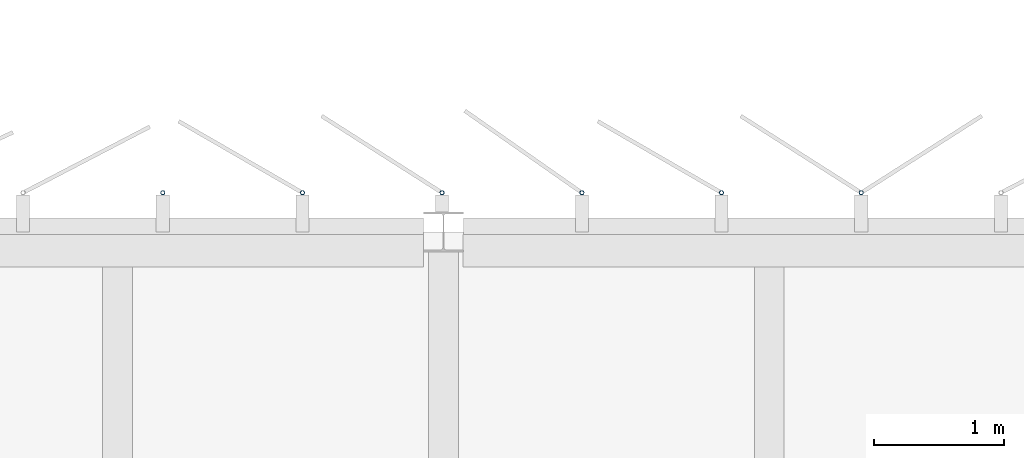
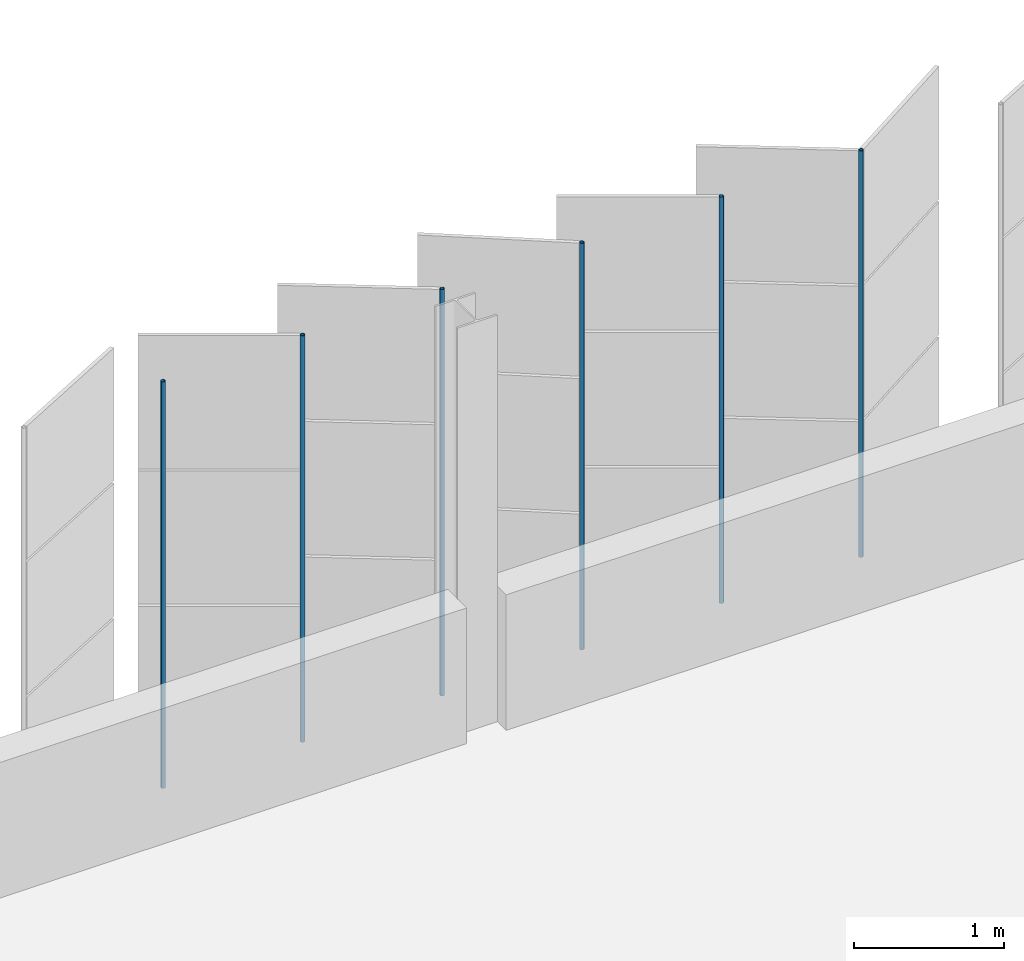
# One storey, part 141 of 199: 6 discrete accessories.
"""IFC4 building model written with IfcOpenShell, lengths in metres."""

from ifc_helpers import new_model, si_unit, direction, frame, origin, origin_2d, place, context, subcontext, project, spatial, hollow_circle, extrude, material, material_profile, profile_set, type_object, element, save


model = new_model("IFC4")

# Units and contexts
model_context = context("Model", 3, precision=1e-05, world=origin(), true_north=direction((0.0, 1.0)))
body_context = subcontext(model_context, "Body", "Model", "MODEL_VIEW")
ifc_project = project(units=[si_unit("LENGTHUNIT", "METRE"), si_unit("AREAUNIT", "SQUARE_METRE"), si_unit("VOLUMEUNIT", "CUBIC_METRE"), si_unit("PLANEANGLEUNIT", "RADIAN"), si_unit("MASSUNIT", "GRAM", prefix="KILO")], contexts=[model_context])

# Site, building, storey
site_placement = place(None, origin())
site = spatial("IfcSite", under=ifc_project, at=site_placement, CompositionType="ELEMENT")
building_placement = place(site_placement, origin())
building = spatial("IfcBuilding", under=site, at=building_placement, Name="Parallax Yard Mobility Hub", CompositionType="ELEMENT")
storey_placement = place(building_placement, frame((0.0, 0.0, 9.89990234375)))
storey = spatial("IfcBuildingStorey", under=building, at=storey_placement, Name="L03", CompositionType="ELEMENT", Elevation=9.89990234375)

# Discrete accessories
ifc_material = material(Name="Steel ASTM A500 Gr C, hot-dip galvanised", Category="steel")
ifc_material_profile = material_profile(ifc_material, hollow_circle(Radius=0.016845703125, WallThickness=0.003173828125, at=origin_2d()), Name="CHS 33.7x3.2")
ifc_profile_set = profile_set([ifc_material_profile], Name="Steel ASTM A500 Gr C, hot-dip galvanised")
discrete_accessory_type = type_object("IfcDiscreteAccessoryType", Name="Hinge post CHS 33.7x3.2", PredefinedType="BRACKET", material=ifc_profile_set)
for number, where, z_axis, x_axis, name in (
    (1, (78.205078125, 142.800048828125, 0.0), (0.0, 0.0, 1.0), (1.0, 0.0, 0.0), "Hinge post bay 63.5 level L03"),
    (2, (77.13330078125, 142.800048828125, 0.0), (0.0, 0.0, 1.0), (1.0, 0.0, 0.0), "Hinge post bay 63.6 level L03"),
    (3, (76.06201171875, 142.800048828125, 0.0), (0.0, 0.0, 1.0), (1.0, 0.0, 0.0), "Hinge post bay 63.7 level L03"),
    (4, (74.990234375, 142.800048828125, 0.0), (0.0, 0.0, 1.0), (1.0, 0.0, 0.0), "Hinge post bay 64.1 level L03"),
    (5, (73.918701171875, 142.800048828125, 0.0), (0.0, 0.0, 1.0), (1.0, 0.0, 0.0), "Hinge post bay 64.2 level L03"),
    (6, (72.84716796875, 142.800048828125, 0.0), (0.0, 0.0, 1.0), (1.0, 0.0, 0.0), "Hinge post bay 64.3 level L03"),
):
    element("IfcDiscreteAccessory", number, at=place(storey_placement, frame(where, z_axis=z_axis, x_axis=x_axis)), inside=storey, type_object=discrete_accessory_type, Name=name, PredefinedType="BRACKET", context=body_context, shape_type="SweptSolid", body=[
        extrude(hollow_circle(Radius=0.016845703125, WallThickness=0.003173828125, at=origin_2d()), origin(), (0.0, 0.0, 1.0), 3.300048828125),
    ])

save(model, "model.ifc")
